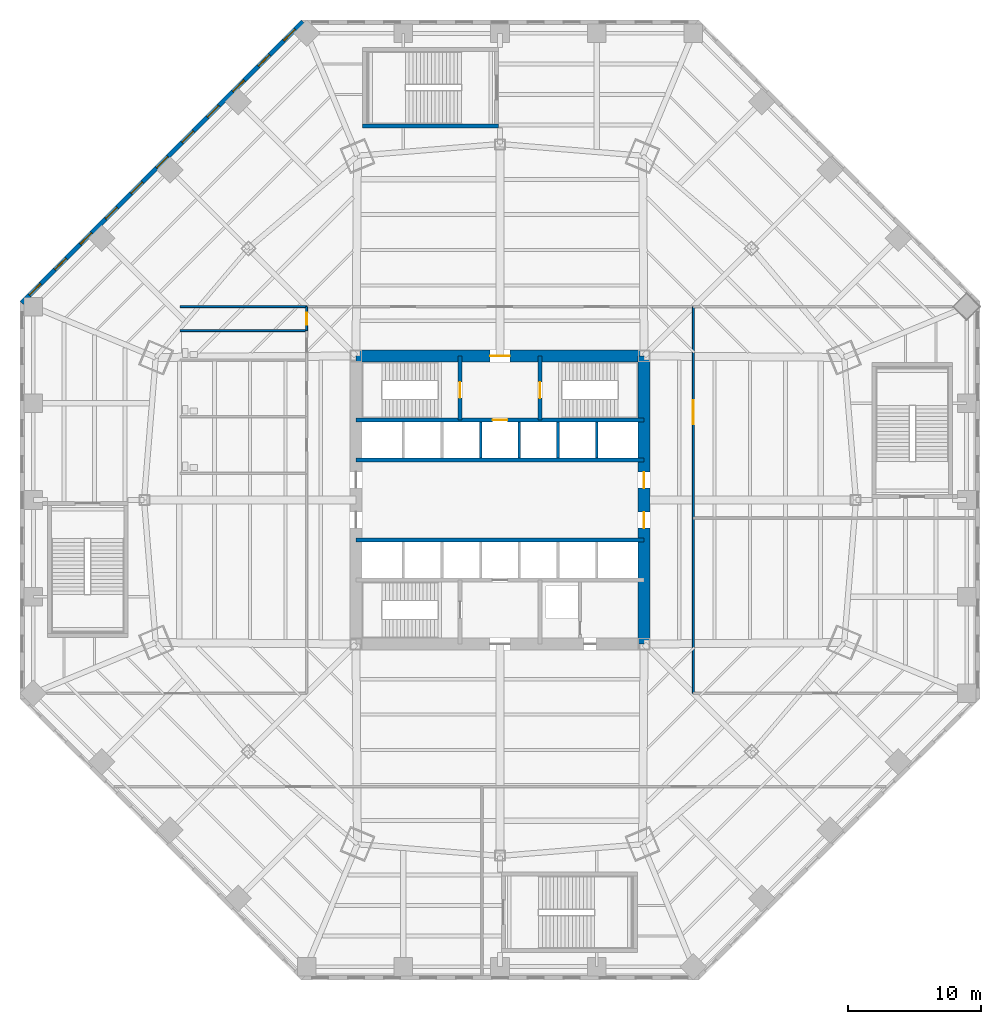
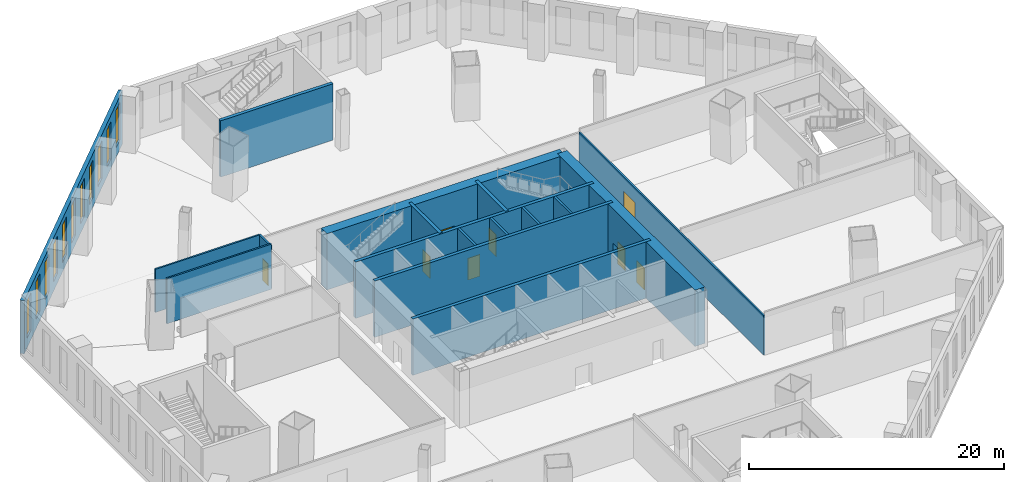
# One storey, part 11 of 18: 17 walls, 11 windows, 8 doors, 19 openings.
"""IFC4 building model written with IfcOpenShell, lengths in metres."""

import ifcopenshell
import ifcopenshell.guid

model = None  # the IFC model being written
_history = None  # IfcOwnerHistory: only IFC2X3 demands one
_inside = {}  # id of a spatial element -> (the spatial element, [elements in it])
_under = {}  # id of a project, library or spatial element -> (it, [spatial elements below it])
_declared = {}  # id of a project -> (the project, [libraries it declares])
_typed = {}  # id of a type object -> (the type object, [elements of that type])
_made_of = {}  # id of a material, layer set ... -> (it, [elements and type objects made of it])


def new_model(schema):
    """Start an empty IFC model of exactly this schema.

    Asked for "IFC4X3", IfcOpenShell would pick the latest addendum, in which some entities
    have other attributes; the version numbers below select the first issue.
    IFC2X3 requires an IfcOwnerHistory on every rooted entity: one is made here for all.
    """
    global model, _history
    if schema == "IFC4X3":
        model = ifcopenshell.file(schema_version=(4, 3, 0, 0))
    else:
        model = ifcopenshell.file(schema=schema)
    _inside.clear()
    _under.clear()
    _declared.clear()
    _typed.clear()
    _made_of.clear()
    _history = None
    if model.schema == "IFC2X3":
        org = make("IfcOrganization", Name="unknown")
        user = make(
            "IfcPersonAndOrganization",
            ThePerson=make("IfcPerson", FamilyName="unknown"),
            TheOrganization=org,
        )
        app = make(
            "IfcApplication",
            ApplicationDeveloper=org,
            Version="unknown",
            ApplicationFullName="unknown",
            ApplicationIdentifier="unknown",
        )
        _history = make(
            "IfcOwnerHistory",
            OwningUser=user,
            OwningApplication=app,
            ChangeAction="ADDED",
            CreationDate=0,
        )
    return model


def make(cls, **values):
    """One entity of the class cls with the attributes given. An attribute that is None is left unset."""
    return model.create_entity(
        cls, **{name: value for name, value in values.items() if value is not None}
    )


def rooted(cls, **values):
    """An entity with a GlobalId (a new one), such as an element, a storey or a relation."""
    return make(cls, GlobalId=ifcopenshell.guid.new(), OwnerHistory=_history, **values)


def si_unit(unit_type, name, prefix=None):
    """IfcSIUnit, for example si_unit("LENGTHUNIT", "METRE", prefix="MILLI")."""
    return make("IfcSIUnit", UnitType=unit_type, Prefix=prefix, Name=name)


def assignment(units):
    """IfcUnitAssignment: the units of a project."""
    return None if units is None else make("IfcUnitAssignment", Units=units)


def point(xyz):
    """IfcCartesianPoint."""
    return None if xyz is None else make("IfcCartesianPoint", Coordinates=xyz)


def direction(xyz):
    """IfcDirection."""
    return None if xyz is None else make("IfcDirection", DirectionRatios=xyz)


def frame(location, z_axis=None, x_axis=None):
    """IfcAxis2Placement3D, a coordinate frame: its origin and axes. An axis left out is left unset."""
    return make(
        "IfcAxis2Placement3D",
        Location=point(location),
        Axis=direction(z_axis),
        RefDirection=direction(x_axis),
    )


def frame_2d(location, x_axis=None):
    """IfcAxis2Placement2D, a coordinate frame in the plane: its origin and x axis."""
    return make(
        "IfcAxis2Placement2D", Location=point(location), RefDirection=direction(x_axis)
    )


def origin():
    """The frame at (0, 0, 0) with its axes left unset."""
    return frame((0.0, 0.0, 0.0))


def place(relative_to, where):
    """IfcLocalPlacement: puts the frame where relative to a parent placement (None: the world)."""
    return make(
        "IfcLocalPlacement", PlacementRelTo=relative_to, RelativePlacement=where
    )


def context(
    kind, dimensions, precision=None, world=None, true_north=None, identifier=None
):
    """IfcGeometricRepresentationContext, for example the 3D "Model" context."""
    return make(
        "IfcGeometricRepresentationContext",
        ContextIdentifier=identifier,
        ContextType=kind,
        CoordinateSpaceDimension=dimensions,
        Precision=precision,
        WorldCoordinateSystem=world,
        TrueNorth=true_north,
    )


def subcontext(parent, identifier, kind, view, scale=None):
    """IfcGeometricRepresentationSubContext, for example "Body" below "Model"."""
    return make(
        "IfcGeometricRepresentationSubContext",
        ContextIdentifier=identifier,
        ContextType=kind,
        ParentContext=parent,
        TargetScale=scale,
        TargetView=view,
    )


def project(units=None, contexts=None):
    """IfcProject with its units and contexts."""
    return rooted(
        "IfcProject",
        Name="project",
        RepresentationContexts=contexts,
        UnitsInContext=assignment(units),
    )


def spatial(cls, under=None, at=None, **own):
    """A site, building, storey or space (cls), placed at a placement, below another one or the project."""
    s = rooted(cls, ObjectPlacement=at, **own)
    if under is not None:
        _under.setdefault(under.id(), (under, []))[1].append(s)
    return s


def profile(cls, at=None, kind="AREA", **sizes):
    """A parametric profile (cls). Its sizes go by their IFC names, for example OverallWidth=200.0."""
    return make(cls, ProfileType=kind, Position=at, **sizes)


def rectangle(**sizes):
    """IfcRectangleProfileDef."""
    return profile("IfcRectangleProfileDef", **sizes)


def extrude(swept, where, along, depth):
    """IfcExtrudedAreaSolid: the profile swept, set in the frame where, extruded along a direction by depth."""
    return make(
        "IfcExtrudedAreaSolid",
        SweptArea=swept,
        Position=where,
        ExtrudedDirection=direction(along),
        Depth=depth,
    )


def shape(context_of_items, identifier, shape_type, items):
    """IfcShapeRepresentation: the items that make up one representation, for example the "Body"."""
    return make(
        "IfcShapeRepresentation",
        ContextOfItems=context_of_items,
        RepresentationIdentifier=identifier,
        RepresentationType=shape_type,
        Items=items,
    )


def material(Name=None, Category=None):
    """IfcMaterial."""
    return make("IfcMaterial", Name=Name, Category=Category)


def layer(
    of_material, thickness, ventilated=None, Name=None, Category=None, Priority=None
):
    """IfcMaterialLayer: one layer of a wall or slab, of a material (None: an air gap)."""
    return make(
        "IfcMaterialLayer",
        Material=of_material,
        LayerThickness=thickness,
        IsVentilated=ventilated,
        Name=Name,
        Category=Category,
        Priority=Priority,
    )


def layer_set(layers, Name=None):
    """IfcMaterialLayerSet."""
    return make("IfcMaterialLayerSet", MaterialLayers=layers, LayerSetName=Name)


def made_of(thing, what):
    """Note that an element or type object is made of a material, layer set ...; save() writes the relation."""
    if what is not None:
        _made_of.setdefault(what.id(), (what, []))[1].append(thing)
    return thing


def type_object(cls, material=None, **own):
    """A type object (cls), such as IfcWallType, which elements share."""
    return made_of(rooted(cls, **own), material)


def element(
    cls,
    number,
    at=None,
    inside=None,
    cuts=None,
    type_object=None,
    material=None,
    context=None,
    identifier="Body",
    shape_type=None,
    held_by="IfcProductDefinitionShape",
    body=None,
    shapes=None,
    **own,
):
    """One element of the class cls, such as IfcWall. Its Tag is "e" and its number.

    at: its placement. inside: the storey or other place that contains it. cuts: it is an
    opening in that element (IfcRelVoidsElement). A single representation is given by context,
    identifier, shape_type and body (its items); several are given by shapes. held_by: the class
    of the entity that holds the representations. save() writes the other relations.
    """
    e = rooted(cls, Tag="e%d" % number, ObjectPlacement=at, **own)
    if body is not None:
        shapes = [shape(context, identifier, shape_type, body)]
    if shapes is not None:
        e.Representation = make(held_by, Representations=shapes)
    if inside is not None:
        _inside.setdefault(inside.id(), (inside, []))[1].append(e)
    if cuts is not None:
        rooted(
            "IfcRelVoidsElement", RelatingBuildingElement=cuts, RelatedOpeningElement=e
        )
    if type_object is not None:
        _typed.setdefault(type_object.id(), (type_object, []))[1].append(e)
    return made_of(e, material)


def fill(opening, filler):
    """IfcRelFillsElement: the door or window that sits in an opening."""
    return rooted(
        "IfcRelFillsElement",
        RelatingOpeningElement=opening,
        RelatedBuildingElement=filler,
    )


def aggregate(whole, parts):
    """IfcRelAggregates: a whole, such as a stair, and the parts it consists of."""
    return rooted("IfcRelAggregates", RelatingObject=whole, RelatedObjects=parts)


def save(model, path):
    """Write the relations noted so far, then the file.

    IfcRelAggregates (storeys below a building ...), IfcRelContainedInSpatialStructure (elements
    in a storey), IfcRelDefinesByType, IfcRelAssociatesMaterial and IfcRelDeclares: one each for
    every whole, place, type object, material and project.
    """
    for whole, parts in _under.values():
        aggregate(whole, parts)
    for where, things in _inside.values():
        rooted(
            "IfcRelContainedInSpatialStructure",
            RelatedElements=things,
            RelatingStructure=where,
        )
    for kind, things in _typed.values():
        rooted("IfcRelDefinesByType", RelatedObjects=things, RelatingType=kind)
    for what, things in _made_of.values():
        rooted("IfcRelAssociatesMaterial", RelatedObjects=things, RelatingMaterial=what)
    for by, libraries in _declared.values():
        rooted("IfcRelDeclares", RelatingContext=by, RelatedDefinitions=libraries)
    model.write(path)


model = new_model("IFC4")

# Units and contexts
model_context = context("Model", 3, precision=1e-05, world=origin(), true_north=direction((0.0, 1.0)))
body_context = subcontext(model_context, "Body", "Model", "MODEL_VIEW")
ifc_project = project(units=[si_unit("LENGTHUNIT", "METRE"), si_unit("AREAUNIT", "SQUARE_METRE"), si_unit("VOLUMEUNIT", "CUBIC_METRE"), si_unit("PLANEANGLEUNIT", "RADIAN"), si_unit("MASSUNIT", "GRAM", prefix="KILO")], contexts=[model_context])

# Site, building, storey
site_placement = place(None, origin())
site = spatial("IfcSite", under=ifc_project, at=site_placement, CompositionType="ELEMENT")
building_placement = place(site_placement, origin())
building = spatial("IfcBuilding", under=site, at=building_placement, Name="Mashrafa Tower", CompositionType="ELEMENT")
storey_placement = place(building_placement, frame((0.0, 0.0, 18.60009765625)))
storey = spatial("IfcBuildingStorey", under=building, at=storey_placement, Name="L03", CompositionType="ELEMENT", Elevation=18.60009765625)

# Wall
ifc_material_1 = material(Name="Concrete C60/75", Category="concrete")
ifc_layer_1 = layer(ifc_material_1, 0.300048828125)
ifc_layer_set_1 = layer_set([ifc_layer_1], Name="Core wall 300 C60/75")
wall_type_1 = type_object("IfcWallType", Name="Core wall 300 C60/75", PredefinedType="SOLIDWALL", material=ifc_layer_set_1)
wall_1_placement = place(storey_placement, frame((-10.800048828125, 3.0, 0.0), z_axis=(0.0, 0.0, 1.0), x_axis=(1.0, 0.0, 0.0)))
element("IfcWall", 1, at=wall_1_placement, inside=storey, type_object=wall_type_1, Name="Core wall CH-N L03", PredefinedType="SOLIDWALL", context=body_context, shape_type="SweptSolid", body=[
    extrude(rectangle(XDim=21.60009765625, YDim=0.300048828125, at=frame_2d((10.800048828125, 0.0))), origin(), (0.0, 0.0, 1.0), 5.39990234375),
])

# Wall, opening, door
wall_2_placement = place(storey_placement, frame((-10.800048828125, 6.0, 0.0), z_axis=(0.0, 0.0, 1.0), x_axis=(1.0, 0.0, 0.0)))
wall_2 = element("IfcWall", 2, at=wall_2_placement, inside=storey, type_object=wall_type_1, Name="Core wall CB-N L03", PredefinedType="SOLIDWALL", context=body_context, shape_type="SweptSolid", body=[
    extrude(rectangle(XDim=21.60009765625, YDim=0.300048828125, at=frame_2d((10.800048828125, 0.0))), origin(), (0.0, 0.0, 1.0), 5.39990234375),
])
opening_1_placement = place(wall_2_placement, frame((10.25, 0.0, 0.0)))
opening_1 = element("IfcOpeningElement", 3, at=opening_1_placement, cuts=wall_2, Name="Opening 03.F1", PredefinedType="OPENING", context=body_context, shape_type="SweptSolid", body=[
    extrude(rectangle(XDim=1.10009765625, YDim=2.10009765625, at=frame_2d((0.550048828125, 1.050048828125))), frame((0.0, 0.159912109375, 0.0), z_axis=(0.0, -1.0, 0.0), x_axis=(1.0, 0.0, 0.0)), (0.0, 0.0, 1.0), 0.320068359375),
])
ifc_material_2 = material(Name="Steel door", Category="steel")
door_type_1 = type_object("IfcDoorType", Name="Lift landing door 1100 x 2100 90 min", OperationType="DOUBLE_DOOR_SLIDING", PredefinedType="DOOR", material=ifc_material_2)
door_1_placement = place(opening_1_placement, origin())
door_1 = element("IfcDoor", 4, at=door_1_placement, inside=storey, type_object=door_type_1, Name="Lift landing door F1 L03", OperationType="DOUBLE_DOOR_SLIDING", OverallHeight=2.10009765625, OverallWidth=1.10009765625, PredefinedType="DOOR", context=body_context, shape_type="SweptSolid", body=[
    extrude(rectangle(XDim=1.10009765625, YDim=2.10009765625, at=frame_2d((0.550048828125, 1.050048828125))), frame((0.0, 0.02490234375, 0.0), z_axis=(0.0, -1.0, 0.0), x_axis=(1.0, 0.0, 0.0)), (0.0, 0.0, 1.0), 0.050048828125),
])
fill(opening_1, door_1)

wall_3_placement = place(storey_placement, frame((-3.0, 6.0, 0.0), z_axis=(0.0, 0.0, 1.0), x_axis=(0.0, 1.0, 0.0)))
wall_3 = element("IfcWall", 5, at=wall_3_placement, inside=storey, type_object=wall_type_1, Name="Core wall CX-NW L03", PredefinedType="SOLIDWALL", context=body_context, shape_type="SweptSolid", body=[
    extrude(rectangle(XDim=4.800048828125, YDim=0.300048828125, at=frame_2d((2.39990234375, 0.0))), origin(), (0.0, 0.0, 1.0), 5.39990234375),
])
opening_2_placement = place(wall_3_placement, frame((1.64990234375, 0.0, 0.0)))
opening_2 = element("IfcOpeningElement", 6, at=opening_2_placement, cuts=wall_3, Name="Opening 03.019", PredefinedType="OPENING", context=body_context, shape_type="SweptSolid", body=[
    extrude(rectangle(XDim=1.199951171875, YDim=2.10009765625, at=frame_2d((0.60009765625, 1.050048828125))), frame((0.0, 0.159912109375, 0.0), z_axis=(0.0, -1.0, 0.0), x_axis=(1.0, 0.0, 0.0)), (0.0, 0.0, 1.0), 0.320068359375),
])
ifc_material_3 = material(Name="Steel door", Category="steel")
door_type_2 = type_object("IfcDoorType", Name="Stair door 1200 x 2100 90 min", OperationType="USERDEFINED", PredefinedType="DOOR", material=ifc_material_3)
door_2_placement = place(opening_2_placement, origin())
door_2 = element("IfcDoor", 7, at=door_2_placement, inside=storey, type_object=door_type_2, Name="Stair S1 door L03", OperationType="SINGLE_SWING_LEFT", OverallHeight=2.10009765625, OverallWidth=1.199951171875, PredefinedType="DOOR", context=body_context, shape_type="SweptSolid", body=[
    extrude(rectangle(XDim=1.199951171875, YDim=2.10009765625, at=frame_2d((0.60009765625, 1.050048828125))), frame((0.0, 0.02490234375, 0.0), z_axis=(0.0, -1.0, 0.0), x_axis=(1.0, 0.0, 0.0)), (0.0, 0.0, 1.0), 0.050048828125),
])
fill(opening_2, door_2)

wall_4_placement = place(storey_placement, frame((3.0, 6.0, 0.0), z_axis=(0.0, 0.0, 1.0), x_axis=(0.0, 1.0, 0.0)))
wall_4 = element("IfcWall", 8, at=wall_4_placement, inside=storey, type_object=wall_type_1, Name="Core wall CX-NE L03", PredefinedType="SOLIDWALL", context=body_context, shape_type="SweptSolid", body=[
    extrude(rectangle(XDim=4.800048828125, YDim=0.300048828125, at=frame_2d((2.39990234375, 0.0))), origin(), (0.0, 0.0, 1.0), 5.39990234375),
])
opening_3_placement = place(wall_4_placement, frame((1.64990234375, 0.0, 0.0)))
opening_3 = element("IfcOpeningElement", 9, at=opening_3_placement, cuts=wall_4, Name="Opening 03.020", PredefinedType="OPENING", context=body_context, shape_type="SweptSolid", body=[
    extrude(rectangle(XDim=1.199951171875, YDim=2.10009765625, at=frame_2d((0.60009765625, 1.050048828125))), frame((0.0, 0.159912109375, 0.0), z_axis=(0.0, -1.0, 0.0), x_axis=(1.0, 0.0, 0.0)), (0.0, 0.0, 1.0), 0.320068359375),
])
door_3_placement = place(opening_3_placement, frame((1.199951171875, 0.0, 0.0), z_axis=(0.0, 0.0, 1.0), x_axis=(-1.0, 0.0, 0.0)))
door_3 = element("IfcDoor", 10, at=door_3_placement, inside=storey, type_object=door_type_2, Name="Stair S2 door L03", OperationType="SINGLE_SWING_RIGHT", OverallHeight=2.10009765625, OverallWidth=1.199951171875, PredefinedType="DOOR", context=body_context, shape_type="SweptSolid", body=[
    extrude(rectangle(XDim=1.199951171875, YDim=2.10009765625, at=frame_2d((0.60009765625, 1.050048828125))), frame((0.0, 0.02490234375, 0.0), z_axis=(0.0, -1.0, 0.0), x_axis=(1.0, 0.0, 0.0)), (0.0, 0.0, 1.0), 0.050048828125),
])
fill(opening_3, door_3)

# Wall
wall_5_placement = place(storey_placement, frame((-10.800048828125, -3.0, 0.0), z_axis=(0.0, 0.0, 1.0), x_axis=(1.0, 0.0, 0.0)))
element("IfcWall", 11, at=wall_5_placement, inside=storey, type_object=wall_type_1, Name="Core wall CH-S L03", PredefinedType="SOLIDWALL", context=body_context, shape_type="SweptSolid", body=[
    extrude(rectangle(XDim=21.60009765625, YDim=0.300048828125, at=frame_2d((10.800048828125, 0.0))), origin(), (0.0, 0.0, 1.0), 5.39990234375),
])

# Wall, openings, doors
ifc_material_4 = material(Name="Concrete C60/75", Category="concrete")
ifc_layer_2 = layer(ifc_material_4, 0.89990234375)
ifc_layer_set_2 = layer_set([ifc_layer_2], Name="Core wall 900 C60/75")
wall_type_2 = type_object("IfcWallType", Name="Core wall 900 C60/75", PredefinedType="SOLIDWALL", material=ifc_layer_set_2)
wall_6_placement = place(storey_placement, frame((10.800048828125, -10.800048828125, 0.0), z_axis=(0.0, 0.0, 1.0), x_axis=(0.0, 1.0, 0.0)))
wall_6 = element("IfcWall", 12, at=wall_6_placement, inside=storey, type_object=wall_type_2, Name="Core wall CW-E L03", PredefinedType="SOLIDWALL", context=body_context, shape_type="SweptSolid", body=[
    extrude(rectangle(XDim=21.60009765625, YDim=0.89990234375, at=frame_2d((10.800048828125, 0.0))), origin(), (0.0, 0.0, 1.0), 5.39990234375),
])
opening_4_placement = place(wall_6_placement, frame((11.699951171875, 0.0, 0.0)))
opening_4 = element("IfcOpeningElement", 13, at=opening_4_placement, cuts=wall_6, Name="Opening 03.013", PredefinedType="OPENING", context=body_context, shape_type="SweptSolid", body=[
    extrude(rectangle(XDim=1.199951171875, YDim=2.10009765625, at=frame_2d((0.60009765625, 1.050048828125))), frame((0.0, 0.4599609375, 0.0), z_axis=(0.0, -1.0, 0.0), x_axis=(1.0, 0.0, 0.0)), (0.0, 0.0, 1.0), 0.919921875),
])
opening_5_placement = place(wall_6_placement, frame((8.699951171875, 0.0, 0.0)))
opening_5 = element("IfcOpeningElement", 14, at=opening_5_placement, cuts=wall_6, Name="Opening 03.015", PredefinedType="OPENING", context=body_context, shape_type="SweptSolid", body=[
    extrude(rectangle(XDim=1.199951171875, YDim=2.10009765625, at=frame_2d((0.60009765625, 1.050048828125))), frame((0.0, 0.4599609375, 0.0), z_axis=(0.0, -1.0, 0.0), x_axis=(1.0, 0.0, 0.0)), (0.0, 0.0, 1.0), 0.919921875),
])
ifc_material_5 = material(Name="Steel door", Category="steel")
door_type_3 = type_object("IfcDoorType", Name="Lift hall door 1200 x 2100 90 min", OperationType="USERDEFINED", PredefinedType="DOOR", material=ifc_material_5)
door_4_placement = place(opening_4_placement, frame((1.199951171875, 0.0, 0.0), z_axis=(0.0, 0.0, 1.0), x_axis=(-1.0, 0.0, 0.0)))
door_4 = element("IfcDoor", 15, at=door_4_placement, inside=storey, type_object=door_type_3, Name="Lift hall door east L03", OperationType="SINGLE_SWING_LEFT", OverallHeight=2.10009765625, OverallWidth=1.199951171875, PredefinedType="DOOR", context=body_context, shape_type="SweptSolid", body=[
    extrude(rectangle(XDim=1.199951171875, YDim=2.10009765625, at=frame_2d((0.60009765625, 1.050048828125))), frame((0.0, 0.02490234375, 0.0), z_axis=(0.0, -1.0, 0.0), x_axis=(1.0, 0.0, 0.0)), (0.0, 0.0, 1.0), 0.050048828125),
])
fill(opening_4, door_4)
door_5_placement = place(opening_5_placement, frame((1.199951171875, 0.0, 0.0), z_axis=(0.0, 0.0, 1.0), x_axis=(-1.0, 0.0, 0.0)))
door_5 = element("IfcDoor", 16, at=door_5_placement, inside=storey, type_object=door_type_3, Name="Lift hall door east L03", OperationType="SINGLE_SWING_LEFT", OverallHeight=2.10009765625, OverallWidth=1.199951171875, PredefinedType="DOOR", context=body_context, shape_type="SweptSolid", body=[
    extrude(rectangle(XDim=1.199951171875, YDim=2.10009765625, at=frame_2d((0.60009765625, 1.050048828125))), frame((0.0, 0.02490234375, 0.0), z_axis=(0.0, -1.0, 0.0), x_axis=(1.0, 0.0, 0.0)), (0.0, 0.0, 1.0), 0.050048828125),
])
fill(opening_5, door_5)

# Wall, opening, door
wall_7_placement = place(storey_placement, frame((10.800048828125, 10.800048828125, 0.0), z_axis=(0.0, 0.0, 1.0), x_axis=(-1.0, 0.0, 0.0)))
wall_7 = element("IfcWall", 17, at=wall_7_placement, inside=storey, type_object=wall_type_2, Name="Core wall CW-N L03", PredefinedType="SOLIDWALL", context=body_context, shape_type="SweptSolid", body=[
    extrude(rectangle(XDim=21.60009765625, YDim=0.89990234375, at=frame_2d((10.800048828125, 0.0))), origin(), (0.0, 0.0, 1.0), 5.39990234375),
])
opening_6_placement = place(wall_7_placement, frame((10.050048828125, 0.0, 0.0)))
opening_6 = element("IfcOpeningElement", 18, at=opening_6_placement, cuts=wall_7, Name="Opening 03.017", PredefinedType="OPENING", context=body_context, shape_type="SweptSolid", body=[
    extrude(rectangle(XDim=1.5, YDim=2.10009765625, at=frame_2d((0.75, 1.050048828125))), frame((0.0, 0.4599609375, 0.0), z_axis=(0.0, -1.0, 0.0), x_axis=(1.0, 0.0, 0.0)), (0.0, 0.0, 1.0), 0.919921875),
])
ifc_material_6 = material(Name="Steel door", Category="steel")
door_type_4 = type_object("IfcDoorType", Name="Lobby door pair 1500 x 2100 90 min", OperationType="DOUBLE_DOOR_SINGLE_SWING", PredefinedType="DOOR", material=ifc_material_6)
door_6_placement = place(opening_6_placement, origin())
door_6 = element("IfcDoor", 19, at=door_6_placement, inside=storey, type_object=door_type_4, Name="Fire-fighting lobby F1 door L03", OperationType="DOUBLE_DOOR_SINGLE_SWING", OverallHeight=2.10009765625, OverallWidth=1.5, PredefinedType="DOOR", context=body_context, shape_type="SweptSolid", body=[
    extrude(rectangle(XDim=1.5, YDim=2.10009765625, at=frame_2d((0.75, 1.050048828125))), frame((0.0, 0.02490234375, 0.0), z_axis=(0.0, -1.0, 0.0), x_axis=(1.0, 0.0, 0.0)), (0.0, 0.0, 1.0), 0.050048828125),
])
fill(opening_6, door_6)

ifc_material_7 = material(Name="Gypsum board on steel studs", Category="steel")
ifc_layer_3 = layer(ifc_material_7, 0.14990234375)
ifc_layer_set_3 = layer_set([ifc_layer_3], Name="Corridor partition 150 1 hr")
wall_type_3 = type_object("IfcWallType", Name="Corridor partition 150 1 hr", PredefinedType="PARTITIONING", material=ifc_layer_set_3)
wall_8_placement = place(storey_placement, frame((-14.5, 12.699951171875, 0.0), z_axis=(0.0, 0.0, 1.0), x_axis=(0.0, 1.0, 0.0)))
wall_8 = element("IfcWall", 20, at=wall_8_placement, inside=storey, type_object=wall_type_3, Name="Corridor wall L03-009", PredefinedType="PARTITIONING", context=body_context, shape_type="SweptSolid", body=[
    extrude(rectangle(XDim=1.800048828125, YDim=0.14990234375, at=frame_2d((0.89990234375, 0.0))), origin(), (0.0, 0.0, 1.0), 4.1298828125),
])
opening_7_placement = place(wall_8_placement, frame((0.449951171875, 0.0, 0.0)))
opening_7 = element("IfcOpeningElement", 21, at=opening_7_placement, cuts=wall_8, Name="Opening 03.004", PredefinedType="OPENING", context=body_context, shape_type="SweptSolid", body=[
    extrude(rectangle(XDim=0.89990234375, YDim=2.10009765625, at=frame_2d((0.449951171875, 1.050048828125))), frame((0.0, 0.0849609375, 0.0), z_axis=(0.0, -1.0, 0.0), x_axis=(1.0, 0.0, 0.0)), (0.0, 0.0, 1.0), 0.169921875),
])
ifc_material_8 = material(Name="Timber door", Category="wood")
door_type_5 = type_object("IfcDoorType", Name="Store door 900 x 2100", OperationType="USERDEFINED", PredefinedType="DOOR", material=ifc_material_8)
door_7_placement = place(opening_7_placement, origin())
door_7 = element("IfcDoor", 22, at=door_7_placement, inside=storey, type_object=door_type_5, Name="Cleaner's Store L03 door", OperationType="SINGLE_SWING_LEFT", OverallHeight=2.10009765625, OverallWidth=0.89990234375, PredefinedType="DOOR", context=body_context, shape_type="SweptSolid", body=[
    extrude(rectangle(XDim=0.89990234375, YDim=2.10009765625, at=frame_2d((0.449951171875, 1.050048828125))), frame((0.0, 0.02490234375, 0.0), z_axis=(0.0, -1.0, 0.0), x_axis=(1.0, 0.0, 0.0)), (0.0, 0.0, 1.0), 0.050048828125),
])
fill(opening_7, door_7)

wall_9_placement = place(storey_placement, frame((14.5, 14.5, 0.0), z_axis=(0.0, 0.0, 1.0), x_axis=(0.0, -1.0, 0.0)))
wall_9 = element("IfcWall", 23, at=wall_9_placement, inside=storey, type_object=wall_type_3, Name="Corridor wall L03-015", PredefinedType="PARTITIONING", context=body_context, shape_type="SweptSolid", body=[
    extrude(rectangle(XDim=29.0, YDim=0.14990234375, at=frame_2d((14.5, 0.0))), origin(), (0.0, 0.0, 1.0), 3.789794921875),
])
opening_8_placement = place(wall_9_placement, frame((7.02490234375, 0.0, 0.0)))
opening_8 = element("IfcOpeningElement", 24, at=opening_8_placement, cuts=wall_9, Name="Opening 03.009", PredefinedType="OPENING", context=body_context, shape_type="SweptSolid", body=[
    extrude(rectangle(XDim=1.800048828125, YDim=2.39990234375, at=frame_2d((0.89990234375, 1.199951171875))), frame((0.0, 0.0849609375, 0.0), z_axis=(0.0, -1.0, 0.0), x_axis=(1.0, 0.0, 0.0)), (0.0, 0.0, 1.0), 0.169921875),
])
ifc_material_9 = material(Name="Timber door", Category="wood")
door_type_6 = type_object("IfcDoorType", Name="Door pair 1800 x 2400", OperationType="DOUBLE_DOOR_SINGLE_SWING", PredefinedType="DOOR", material=ifc_material_9)
door_8_placement = place(opening_8_placement, origin())
door_8 = element("IfcDoor", 25, at=door_8_placement, inside=storey, type_object=door_type_6, Name="Retail Unit 301 door", OperationType="DOUBLE_DOOR_SINGLE_SWING", OverallHeight=2.39990234375, OverallWidth=1.800048828125, PredefinedType="DOOR", context=body_context, shape_type="SweptSolid", body=[
    extrude(rectangle(XDim=1.800048828125, YDim=2.39990234375, at=frame_2d((0.89990234375, 1.199951171875))), frame((0.0, 0.02490234375, 0.0), z_axis=(0.0, -1.0, 0.0), x_axis=(1.0, 0.0, 0.0)), (0.0, 0.0, 1.0), 0.050048828125),
])
fill(opening_8, door_8)

# Wall, openings, windows
ifc_material_10 = material(Name="Riyadh limestone cladding on blockwork", Category="masonry")
ifc_layer_4 = layer(ifc_material_10, 0.35009765625)
ifc_layer_set_4 = layer_set([ifc_layer_4], Name="Limestone-clad external wall 350")
wall_type_4 = type_object("IfcWallType", Name="Limestone-clad external wall 350", PredefinedType="SOLIDWALL", material=ifc_layer_set_4)
wall_10_placement = place(storey_placement, frame((-14.787841796875, 35.876220703125, 0.0), z_axis=(0.0, 0.0, 1.0), x_axis=(-0.707106781187, -0.707106781187, 0.0)))
wall_10 = element("IfcWall", 26, at=wall_10_placement, inside=storey, type_object=wall_type_4, Name="Limestone-clad external wall L03 north-west", PredefinedType="SOLIDWALL", context=body_context, shape_type="SweptSolid", body=[
    extrude(rectangle(XDim=29.823486328125, YDim=0.35009765625, at=frame_2d((14.91162109375, 0.0))), origin(), (0.0, 0.0, 1.0), 5.099853515625),
])
opening_9_placement = place(wall_10_placement, frame((0.821533203125, 0.0, 0.89990234375)))
opening_9 = element("IfcOpeningElement", 27, at=opening_9_placement, cuts=wall_10, Name="Opening W2", PredefinedType="OPENING", context=body_context, shape_type="SweptSolid", body=[
    extrude(rectangle(XDim=1.199951171875, YDim=3.60009765625, at=frame_2d((0.60009765625, 1.800048828125))), frame((0.0, 0.18505859375, 0.0), z_axis=(0.0, -1.0, 0.0), x_axis=(1.0, 0.0, 0.0)), (0.0, 0.0, 1.0), 0.3701171875),
])
opening_10_placement = place(wall_10_placement, frame((3.51953125, 0.0, 0.89990234375)))
opening_10 = element("IfcOpeningElement", 28, at=opening_10_placement, cuts=wall_10, Name="Opening W2", PredefinedType="OPENING", context=body_context, shape_type="SweptSolid", body=[
    extrude(rectangle(XDim=1.199951171875, YDim=3.60009765625, at=frame_2d((0.60009765625, 1.800048828125))), frame((0.0, 0.18505859375, 0.0), z_axis=(0.0, -1.0, 0.0), x_axis=(1.0, 0.0, 0.0)), (0.0, 0.0, 1.0), 0.3701171875),
])
opening_11_placement = place(wall_10_placement, frame((6.217529296875, 0.0, 0.89990234375)))
opening_11 = element("IfcOpeningElement", 29, at=opening_11_placement, cuts=wall_10, Name="Opening W2", PredefinedType="OPENING", context=body_context, shape_type="SweptSolid", body=[
    extrude(rectangle(XDim=1.199951171875, YDim=3.60009765625, at=frame_2d((0.60009765625, 1.800048828125))), frame((0.0, 0.18505859375, 0.0), z_axis=(0.0, -1.0, 0.0), x_axis=(1.0, 0.0, 0.0)), (0.0, 0.0, 1.0), 0.3701171875),
])
opening_12_placement = place(wall_10_placement, frame((8.91552734375, 0.0, 0.89990234375)))
opening_12 = element("IfcOpeningElement", 30, at=opening_12_placement, cuts=wall_10, Name="Opening W2", PredefinedType="OPENING", context=body_context, shape_type="SweptSolid", body=[
    extrude(rectangle(XDim=1.199951171875, YDim=3.60009765625, at=frame_2d((0.60009765625, 1.800048828125))), frame((0.0, 0.18505859375, 0.0), z_axis=(0.0, -1.0, 0.0), x_axis=(1.0, 0.0, 0.0)), (0.0, 0.0, 1.0), 0.3701171875),
])
opening_13_placement = place(wall_10_placement, frame((11.61376953125, 0.0, 0.89990234375)))
opening_13 = element("IfcOpeningElement", 31, at=opening_13_placement, cuts=wall_10, Name="Opening W2", PredefinedType="OPENING", context=body_context, shape_type="SweptSolid", body=[
    extrude(rectangle(XDim=1.199951171875, YDim=3.60009765625, at=frame_2d((0.60009765625, 1.800048828125))), frame((0.0, 0.18505859375, 0.0), z_axis=(0.0, -1.0, 0.0), x_axis=(1.0, 0.0, 0.0)), (0.0, 0.0, 1.0), 0.3701171875),
])
opening_14_placement = place(wall_10_placement, frame((14.311767578125, 0.0, 0.89990234375)))
opening_14 = element("IfcOpeningElement", 32, at=opening_14_placement, cuts=wall_10, Name="Opening W2", PredefinedType="OPENING", context=body_context, shape_type="SweptSolid", body=[
    extrude(rectangle(XDim=1.199951171875, YDim=3.60009765625, at=frame_2d((0.60009765625, 1.800048828125))), frame((0.0, 0.18505859375, 0.0), z_axis=(0.0, -1.0, 0.0), x_axis=(1.0, 0.0, 0.0)), (0.0, 0.0, 1.0), 0.3701171875),
])
opening_15_placement = place(wall_10_placement, frame((17.009765625, 0.0, 0.89990234375)))
opening_15 = element("IfcOpeningElement", 33, at=opening_15_placement, cuts=wall_10, Name="Opening W2", PredefinedType="OPENING", context=body_context, shape_type="SweptSolid", body=[
    extrude(rectangle(XDim=1.199951171875, YDim=3.60009765625, at=frame_2d((0.60009765625, 1.800048828125))), frame((0.0, 0.18505859375, 0.0), z_axis=(0.0, -1.0, 0.0), x_axis=(1.0, 0.0, 0.0)), (0.0, 0.0, 1.0), 0.3701171875),
])
opening_16_placement = place(wall_10_placement, frame((19.707763671875, 0.0, 0.89990234375)))
opening_16 = element("IfcOpeningElement", 34, at=opening_16_placement, cuts=wall_10, Name="Opening W2", PredefinedType="OPENING", context=body_context, shape_type="SweptSolid", body=[
    extrude(rectangle(XDim=1.199951171875, YDim=3.60009765625, at=frame_2d((0.60009765625, 1.800048828125))), frame((0.0, 0.18505859375, 0.0), z_axis=(0.0, -1.0, 0.0), x_axis=(1.0, 0.0, 0.0)), (0.0, 0.0, 1.0), 0.3701171875),
])
opening_17_placement = place(wall_10_placement, frame((22.40576171875, 0.0, 0.89990234375)))
opening_17 = element("IfcOpeningElement", 35, at=opening_17_placement, cuts=wall_10, Name="Opening W2", PredefinedType="OPENING", context=body_context, shape_type="SweptSolid", body=[
    extrude(rectangle(XDim=1.199951171875, YDim=3.60009765625, at=frame_2d((0.60009765625, 1.800048828125))), frame((0.0, 0.18505859375, 0.0), z_axis=(0.0, -1.0, 0.0), x_axis=(1.0, 0.0, 0.0)), (0.0, 0.0, 1.0), 0.3701171875),
])
opening_18_placement = place(wall_10_placement, frame((25.103759765625, 0.0, 0.89990234375)))
opening_18 = element("IfcOpeningElement", 36, at=opening_18_placement, cuts=wall_10, Name="Opening W2", PredefinedType="OPENING", context=body_context, shape_type="SweptSolid", body=[
    extrude(rectangle(XDim=1.199951171875, YDim=3.60009765625, at=frame_2d((0.60009765625, 1.800048828125))), frame((0.0, 0.18505859375, 0.0), z_axis=(0.0, -1.0, 0.0), x_axis=(1.0, 0.0, 0.0)), (0.0, 0.0, 1.0), 0.3701171875),
])
opening_19_placement = place(wall_10_placement, frame((27.8017578125, 0.0, 0.89990234375)))
opening_19 = element("IfcOpeningElement", 37, at=opening_19_placement, cuts=wall_10, Name="Opening W2", PredefinedType="OPENING", context=body_context, shape_type="SweptSolid", body=[
    extrude(rectangle(XDim=1.199951171875, YDim=3.60009765625, at=frame_2d((0.60009765625, 1.800048828125))), frame((0.0, 0.18505859375, 0.0), z_axis=(0.0, -1.0, 0.0), x_axis=(1.0, 0.0, 0.0)), (0.0, 0.0, 1.0), 0.3701171875),
])
ifc_material_11 = material(Name="Bronze-framed insulated glazing", Category="glass")
window_type = type_object("IfcWindowType", Name="Tall punched window 1200 x 3600", PartitioningType="DOUBLE_PANEL_HORIZONTAL", PredefinedType="WINDOW", material=ifc_material_11)
window_1_placement = place(opening_9_placement, origin())
window_1 = element("IfcWindow", 38, at=window_1_placement, inside=storey, type_object=window_type, Name="Window W2 L03 north-west bay 1", OverallHeight=3.60009765625, OverallWidth=1.199951171875, PartitioningType="SINGLE_PANEL", PredefinedType="WINDOW", context=body_context, shape_type="SweptSolid", body=[
    extrude(rectangle(XDim=1.199951171875, YDim=3.60009765625, at=frame_2d((0.60009765625, 1.800048828125))), frame((0.0, 0.030029296875, 0.0), z_axis=(0.0, -1.0, 0.0), x_axis=(1.0, 0.0, 0.0)), (0.0, 0.0, 1.0), 0.06005859375),
])
fill(opening_9, window_1)
window_2_placement = place(opening_10_placement, origin())
window_2 = element("IfcWindow", 39, at=window_2_placement, inside=storey, type_object=window_type, Name="Window W2 L03 north-west bay 2", OverallHeight=3.60009765625, OverallWidth=1.199951171875, PartitioningType="SINGLE_PANEL", PredefinedType="WINDOW", context=body_context, shape_type="SweptSolid", body=[
    extrude(rectangle(XDim=1.199951171875, YDim=3.60009765625, at=frame_2d((0.60009765625, 1.800048828125))), frame((0.0, 0.030029296875, 0.0), z_axis=(0.0, -1.0, 0.0), x_axis=(1.0, 0.0, 0.0)), (0.0, 0.0, 1.0), 0.06005859375),
])
fill(opening_10, window_2)
window_3_placement = place(opening_11_placement, origin())
window_3 = element("IfcWindow", 40, at=window_3_placement, inside=storey, type_object=window_type, Name="Window W2 L03 north-west bay 3", OverallHeight=3.60009765625, OverallWidth=1.199951171875, PartitioningType="SINGLE_PANEL", PredefinedType="WINDOW", context=body_context, shape_type="SweptSolid", body=[
    extrude(rectangle(XDim=1.199951171875, YDim=3.60009765625, at=frame_2d((0.60009765625, 1.800048828125))), frame((0.0, 0.030029296875, 0.0), z_axis=(0.0, -1.0, 0.0), x_axis=(1.0, 0.0, 0.0)), (0.0, 0.0, 1.0), 0.06005859375),
])
fill(opening_11, window_3)
window_4_placement = place(opening_12_placement, origin())
window_4 = element("IfcWindow", 41, at=window_4_placement, inside=storey, type_object=window_type, Name="Window W2 L03 north-west bay 4", OverallHeight=3.60009765625, OverallWidth=1.199951171875, PartitioningType="SINGLE_PANEL", PredefinedType="WINDOW", context=body_context, shape_type="SweptSolid", body=[
    extrude(rectangle(XDim=1.199951171875, YDim=3.60009765625, at=frame_2d((0.60009765625, 1.800048828125))), frame((0.0, 0.030029296875, 0.0), z_axis=(0.0, -1.0, 0.0), x_axis=(1.0, 0.0, 0.0)), (0.0, 0.0, 1.0), 0.06005859375),
])
fill(opening_12, window_4)
window_5_placement = place(opening_13_placement, origin())
window_5 = element("IfcWindow", 42, at=window_5_placement, inside=storey, type_object=window_type, Name="Window W2 L03 north-west bay 5", OverallHeight=3.60009765625, OverallWidth=1.199951171875, PartitioningType="SINGLE_PANEL", PredefinedType="WINDOW", context=body_context, shape_type="SweptSolid", body=[
    extrude(rectangle(XDim=1.199951171875, YDim=3.60009765625, at=frame_2d((0.60009765625, 1.800048828125))), frame((0.0, 0.030029296875, 0.0), z_axis=(0.0, -1.0, 0.0), x_axis=(1.0, 0.0, 0.0)), (0.0, 0.0, 1.0), 0.06005859375),
])
fill(opening_13, window_5)
window_6_placement = place(opening_14_placement, origin())
window_6 = element("IfcWindow", 43, at=window_6_placement, inside=storey, type_object=window_type, Name="Window W2 L03 north-west bay 6", OverallHeight=3.60009765625, OverallWidth=1.199951171875, PartitioningType="SINGLE_PANEL", PredefinedType="WINDOW", context=body_context, shape_type="SweptSolid", body=[
    extrude(rectangle(XDim=1.199951171875, YDim=3.60009765625, at=frame_2d((0.60009765625, 1.800048828125))), frame((0.0, 0.030029296875, 0.0), z_axis=(0.0, -1.0, 0.0), x_axis=(1.0, 0.0, 0.0)), (0.0, 0.0, 1.0), 0.06005859375),
])
fill(opening_14, window_6)
window_7_placement = place(opening_15_placement, origin())
window_7 = element("IfcWindow", 44, at=window_7_placement, inside=storey, type_object=window_type, Name="Window W2 L03 north-west bay 7", OverallHeight=3.60009765625, OverallWidth=1.199951171875, PartitioningType="SINGLE_PANEL", PredefinedType="WINDOW", context=body_context, shape_type="SweptSolid", body=[
    extrude(rectangle(XDim=1.199951171875, YDim=3.60009765625, at=frame_2d((0.60009765625, 1.800048828125))), frame((0.0, 0.030029296875, 0.0), z_axis=(0.0, -1.0, 0.0), x_axis=(1.0, 0.0, 0.0)), (0.0, 0.0, 1.0), 0.06005859375),
])
fill(opening_15, window_7)
window_8_placement = place(opening_16_placement, origin())
window_8 = element("IfcWindow", 45, at=window_8_placement, inside=storey, type_object=window_type, Name="Window W2 L03 north-west bay 8", OverallHeight=3.60009765625, OverallWidth=1.199951171875, PartitioningType="SINGLE_PANEL", PredefinedType="WINDOW", context=body_context, shape_type="SweptSolid", body=[
    extrude(rectangle(XDim=1.199951171875, YDim=3.60009765625, at=frame_2d((0.60009765625, 1.800048828125))), frame((0.0, 0.030029296875, 0.0), z_axis=(0.0, -1.0, 0.0), x_axis=(1.0, 0.0, 0.0)), (0.0, 0.0, 1.0), 0.06005859375),
])
fill(opening_16, window_8)
window_9_placement = place(opening_17_placement, origin())
window_9 = element("IfcWindow", 46, at=window_9_placement, inside=storey, type_object=window_type, Name="Window W2 L03 north-west bay 9", OverallHeight=3.60009765625, OverallWidth=1.199951171875, PartitioningType="SINGLE_PANEL", PredefinedType="WINDOW", context=body_context, shape_type="SweptSolid", body=[
    extrude(rectangle(XDim=1.199951171875, YDim=3.60009765625, at=frame_2d((0.60009765625, 1.800048828125))), frame((0.0, 0.030029296875, 0.0), z_axis=(0.0, -1.0, 0.0), x_axis=(1.0, 0.0, 0.0)), (0.0, 0.0, 1.0), 0.06005859375),
])
fill(opening_17, window_9)
window_10_placement = place(opening_18_placement, origin())
window_10 = element("IfcWindow", 47, at=window_10_placement, inside=storey, type_object=window_type, Name="Window W2 L03 north-west bay 10", OverallHeight=3.60009765625, OverallWidth=1.199951171875, PartitioningType="SINGLE_PANEL", PredefinedType="WINDOW", context=body_context, shape_type="SweptSolid", body=[
    extrude(rectangle(XDim=1.199951171875, YDim=3.60009765625, at=frame_2d((0.60009765625, 1.800048828125))), frame((0.0, 0.030029296875, 0.0), z_axis=(0.0, -1.0, 0.0), x_axis=(1.0, 0.0, 0.0)), (0.0, 0.0, 1.0), 0.06005859375),
])
fill(opening_18, window_10)
window_11_placement = place(opening_19_placement, origin())
window_11 = element("IfcWindow", 48, at=window_11_placement, inside=storey, type_object=window_type, Name="Window W2 L03 north-west bay 11", OverallHeight=3.60009765625, OverallWidth=1.199951171875, PartitioningType="SINGLE_PANEL", PredefinedType="WINDOW", context=body_context, shape_type="SweptSolid", body=[
    extrude(rectangle(XDim=1.199951171875, YDim=3.60009765625, at=frame_2d((0.60009765625, 1.800048828125))), frame((0.0, 0.030029296875, 0.0), z_axis=(0.0, -1.0, 0.0), x_axis=(1.0, 0.0, 0.0)), (0.0, 0.0, 1.0), 0.06005859375),
])
fill(opening_19, window_11)

# Walls
ifc_material_12 = material(Name="Gypsum board on steel studs", Category="steel")
ifc_layer_5 = layer(ifc_material_12, 0.14990234375)
ifc_layer_set_5 = layer_set([ifc_layer_5], Name="Partition 150")
wall_type_5 = type_object("IfcWallType", Name="Partition 150", PredefinedType="PARTITIONING", material=ifc_layer_set_5)
wall_11_placement = place(storey_placement, frame((-14.5, 12.699951171875, 0.0), z_axis=(0.0, 0.0, 1.0), x_axis=(-1.0, 0.0, 0.0)))
element("IfcWall", 49, at=wall_11_placement, inside=storey, type_object=wall_type_5, Name="Partition wall L03-006", PredefinedType="PARTITIONING", context=body_context, shape_type="SweptSolid", body=[
    extrude(rectangle(XDim=9.5, YDim=0.14990234375, at=frame_2d((4.75, 0.0))), origin(), (0.0, 0.0, 1.0), 4.33544921875),
])
wall_12_placement = place(storey_placement, frame((-14.5, 14.5, 0.0), z_axis=(0.0, 0.0, 1.0), x_axis=(-1.0, 0.0, 0.0)))
element("IfcWall", 50, at=wall_12_placement, inside=storey, type_object=wall_type_5, Name="Partition wall L03-008", PredefinedType="PARTITIONING", context=body_context, shape_type="SweptSolid", body=[
    extrude(rectangle(XDim=9.5, YDim=0.14990234375, at=frame_2d((4.75, 0.0))), origin(), (0.0, 0.0, 1.0), 4.1298828125),
])
ifc_material_13 = material(Name="Gypsum shaft wall on steel studs", Category="steel")
ifc_layer_6 = layer(ifc_material_13, 0.199951171875)
ifc_layer_set_6 = layer_set([ifc_layer_6], Name="Shaft divider wall 200 2 hr")
wall_type_6 = type_object("IfcWallType", Name="Shaft divider wall 200 2 hr", PredefinedType="PARTITIONING", material=ifc_layer_set_6)
for number, where, z_axis, x_axis, name in (
    (51, (-1.449951171875, 3.14990234375, 0.0), (0.0, 0.0, 1.0), (0.0, 1.0, 0.0), "Shaft divider wall N3 L03"),
    (52, (1.449951171875, 3.14990234375, 0.0), (0.0, 0.0, 1.0), (0.0, 1.0, 0.0), "Shaft divider wall N4 L03"),
    (53, (4.35009765625, 3.14990234375, 0.0), (0.0, 0.0, 1.0), (0.0, 1.0, 0.0), "Shaft divider wall N5 L03"),
    (54, (7.25, 3.14990234375, 0.0), (0.0, 0.0, 1.0), (0.0, 1.0, 0.0), "Shaft divider wall N6 L03"),
):
    element("IfcWall", number, at=place(storey_placement, frame(where, z_axis=z_axis, x_axis=x_axis)), inside=storey, type_object=wall_type_6, Name=name, PredefinedType="PARTITIONING", context=body_context, shape_type="SweptSolid", body=[
        extrude(rectangle(XDim=2.7001953125, YDim=0.199951171875, at=frame_2d((1.35009765625, 0.0))), origin(), (0.0, 0.0, 1.0), 5.39990234375),
    ])
ifc_material_14 = material(Name="Concrete C35/45", Category="concrete")
ifc_layer_7 = layer(ifc_material_14, 0.300048828125)
ifc_layer_set_7 = layer_set([ifc_layer_7], Name="Stair core wall 300 3 hr")
wall_type_7 = type_object("IfcWallType", Name="Stair core wall 300 3 hr", PredefinedType="SOLIDWALL", material=ifc_layer_set_7)
wall_13_placement = place(storey_placement, frame((-10.300048828125, 28.050048828125, 0.0), z_axis=(0.0, 0.0, 1.0), x_axis=(1.0, 0.0, 0.0)))
element("IfcWall", 55, at=wall_13_placement, inside=storey, type_object=wall_type_7, Name="Stair P2 core wall S L03", PredefinedType="SOLIDWALL", context=body_context, shape_type="SweptSolid", body=[
    extrude(rectangle(XDim=10.199951171875, YDim=0.300048828125, at=frame_2d((5.10009765625, 0.0))), origin(), (0.0, 0.0, 1.0), 5.39990234375),
])

save(model, "model.ifc")
